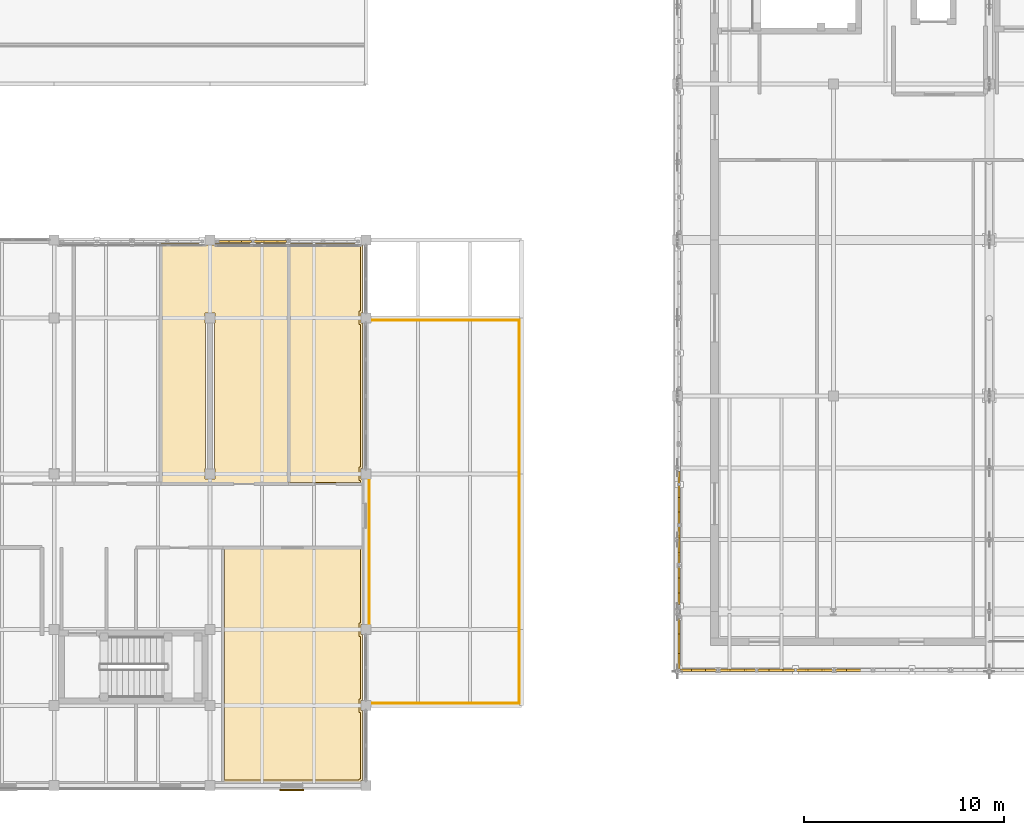
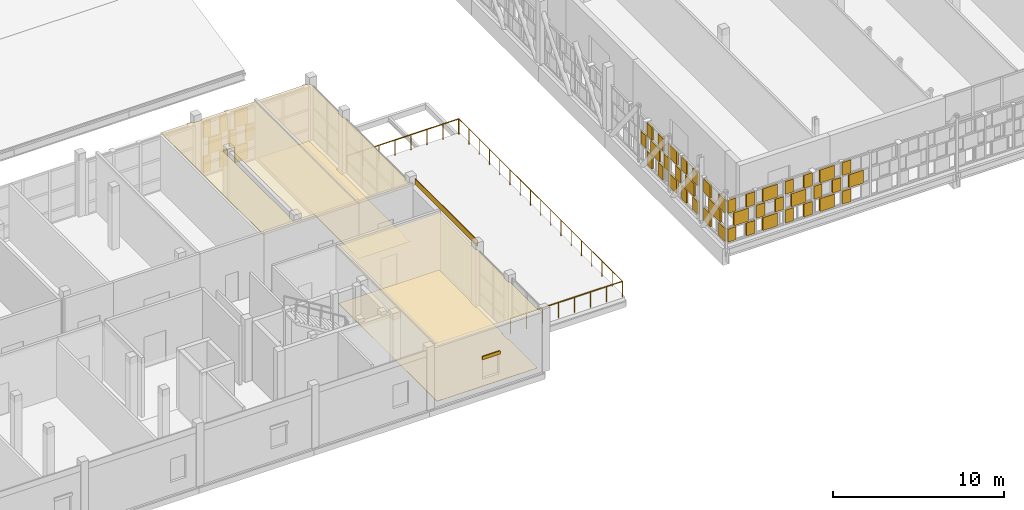
# One storey, part 76 of 89: 56 coverings, 3 railings, 1 shading device.
"""IFC4 building model written with IfcOpenShell, lengths in metres."""

from ifc_helpers import new_model, si_unit, direction, frame, origin, origin_2d, place, context, subcontext, project, spatial, polyline, rectangle, circle, outline, extrude, material, layer, layer_set, type_object, element, save


model = new_model("IFC4")

# Units and contexts
model_context = context("Model", 3, precision=1e-05, world=origin(), true_north=direction((0.0, 1.0)))
body_context = subcontext(model_context, "Body", "Model", "MODEL_VIEW")
ifc_project = project(units=[si_unit("LENGTHUNIT", "METRE"), si_unit("AREAUNIT", "SQUARE_METRE"), si_unit("VOLUMEUNIT", "CUBIC_METRE"), si_unit("PLANEANGLEUNIT", "RADIAN"), si_unit("MASSUNIT", "GRAM", prefix="KILO")], contexts=[model_context])

# Site, building, storey
site_placement = place(None, origin())
site = spatial("IfcSite", under=ifc_project, at=site_placement, CompositionType="ELEMENT")
building_placement = place(site_placement, origin())
building = spatial("IfcBuilding", under=site, at=building_placement, Name="Celorna Specialist Clinic", CompositionType="ELEMENT")
storey_placement = place(building_placement, frame((0.0, 0.0, 14.10009765625)))
storey = spatial("IfcBuildingStorey", under=building, at=storey_placement, Name="L03", CompositionType="ELEMENT", Elevation=14.10009765625)

# Railings
ifc_material_1 = material(Name="Stainless steel and laminated glass balustrade", Category="steel")
railing_type = type_object("IfcRailingType", Name="BL-01", PredefinedType="BALUSTRADE", material=ifc_material_1)
railing_1_placement = place(storey_placement, frame((39.1201171875, 23.280029296875, 0.0)))
element("IfcRailing", 1, at=railing_1_placement, inside=storey, type_object=railing_type, Name="Endoscopy Recovery Terrace perimeter balustrade 2", PredefinedType="BALUSTRADE", context=body_context, shape_type="SweptSolid", body=[
    extrude(circle(Radius=0.02392578125, at=origin_2d()), frame((0.0, 0.0, 1.09619140625), z_axis=(1.0, 0.0, 0.0), x_axis=(0.0, 1.0, 0.0)), (0.0, 0.0, 1.0), 7.559814453125),
    extrude(circle(Radius=0.02099609375, at=origin_2d()), origin(), (0.0, 0.0, 1.0), 1.072021484375),
    extrude(circle(Radius=0.02099609375, at=origin_2d()), frame((1.080078125, 0.0, 0.0)), (0.0, 0.0, 1.0), 1.072021484375),
    extrude(circle(Radius=0.02099609375, at=origin_2d()), frame((2.159912109375, 0.0, 0.0)), (0.0, 0.0, 1.0), 1.072021484375),
    extrude(circle(Radius=0.02099609375, at=origin_2d()), frame((3.239990234375, 0.0, 0.0)), (0.0, 0.0, 1.0), 1.072021484375),
    extrude(circle(Radius=0.02099609375, at=origin_2d()), frame((4.31982421875, 0.0, 0.0)), (0.0, 0.0, 1.0), 1.072021484375),
    extrude(circle(Radius=0.02099609375, at=origin_2d()), frame((5.39990234375, 0.0, 0.0)), (0.0, 0.0, 1.0), 1.072021484375),
    extrude(circle(Radius=0.02099609375, at=origin_2d()), frame((6.479736328125, 0.0, 0.0)), (0.0, 0.0, 1.0), 1.072021484375),
    extrude(circle(Radius=0.02099609375, at=origin_2d()), frame((7.559814453125, 0.0, 0.0)), (0.0, 0.0, 1.0), 1.072021484375),
])
railing_2_placement = place(storey_placement, frame((46.679931640625, 23.280029296875, 0.0)))
element("IfcRailing", 2, at=railing_2_placement, inside=storey, type_object=railing_type, Name="Endoscopy Recovery Terrace perimeter balustrade 3", PredefinedType="BALUSTRADE", context=body_context, shape_type="SweptSolid", body=[
    extrude(circle(Radius=0.02392578125, at=origin_2d()), frame((0.0, 0.0, 1.09619140625), z_axis=(0.0, -1.0, 0.0), x_axis=(1.0, 0.0, 0.0)), (0.0, 0.0, 1.0), 19.159912109375),
    extrude(circle(Radius=0.02099609375, at=origin_2d()), origin(), (0.0, 0.0, 1.0), 1.072021484375),
    extrude(circle(Radius=0.02099609375, at=origin_2d()), frame((0.0, -1.197509765625, 0.0)), (0.0, 0.0, 1.0), 1.072021484375),
    extrude(circle(Radius=0.02099609375, at=origin_2d()), frame((0.0, -2.39501953125, 0.0)), (0.0, 0.0, 1.0), 1.072021484375),
    extrude(circle(Radius=0.02099609375, at=origin_2d()), frame((0.0, -3.592529296875, 0.0)), (0.0, 0.0, 1.0), 1.072021484375),
    extrude(circle(Radius=0.02099609375, at=origin_2d()), frame((0.0, -4.7900390625, 0.0)), (0.0, 0.0, 1.0), 1.072021484375),
    extrude(circle(Radius=0.02099609375, at=origin_2d()), frame((0.0, -5.987548828125, 0.0)), (0.0, 0.0, 1.0), 1.072021484375),
    extrude(circle(Radius=0.02099609375, at=origin_2d()), frame((0.0, -7.18505859375, 0.0)), (0.0, 0.0, 1.0), 1.072021484375),
    extrude(circle(Radius=0.02099609375, at=origin_2d()), frame((0.0, -8.382568359375, 0.0)), (0.0, 0.0, 1.0), 1.072021484375),
    extrude(circle(Radius=0.02099609375, at=origin_2d()), frame((0.0, -9.580078125, 0.0)), (0.0, 0.0, 1.0), 1.072021484375),
    extrude(circle(Radius=0.02099609375, at=origin_2d()), frame((0.0, -10.77734375, 0.0)), (0.0, 0.0, 1.0), 1.072021484375),
    extrude(circle(Radius=0.02099609375, at=origin_2d()), frame((0.0, -11.974853515625, 0.0)), (0.0, 0.0, 1.0), 1.072021484375),
    extrude(circle(Radius=0.02099609375, at=origin_2d()), frame((0.0, -13.17236328125, 0.0)), (0.0, 0.0, 1.0), 1.072021484375),
    extrude(circle(Radius=0.02099609375, at=origin_2d()), frame((0.0, -14.369873046875, 0.0)), (0.0, 0.0, 1.0), 1.072021484375),
    extrude(circle(Radius=0.02099609375, at=origin_2d()), frame((0.0, -15.5673828125, 0.0)), (0.0, 0.0, 1.0), 1.072021484375),
    extrude(circle(Radius=0.02099609375, at=origin_2d()), frame((0.0, -16.764892578125, 0.0)), (0.0, 0.0, 1.0), 1.072021484375),
    extrude(circle(Radius=0.02099609375, at=origin_2d()), frame((0.0, -17.96240234375, 0.0)), (0.0, 0.0, 1.0), 1.072021484375),
    extrude(circle(Radius=0.02099609375, at=origin_2d()), frame((0.0, -19.159912109375, 0.0)), (0.0, 0.0, 1.0), 1.072021484375),
])
railing_3_placement = place(storey_placement, frame((46.679931640625, 4.1201171875, 0.0)))
element("IfcRailing", 3, at=railing_3_placement, inside=storey, type_object=railing_type, Name="Endoscopy Recovery Terrace perimeter balustrade 4", PredefinedType="BALUSTRADE", context=body_context, shape_type="SweptSolid", body=[
    extrude(circle(Radius=0.02392578125, at=origin_2d()), frame((0.0, 0.0, 1.09619140625), z_axis=(-1.0, 0.0, 0.0), x_axis=(0.0, -1.0, 0.0)), (0.0, 0.0, 1.0), 7.559814453125),
    extrude(circle(Radius=0.02099609375, at=origin_2d()), origin(), (0.0, 0.0, 1.0), 1.072021484375),
    extrude(circle(Radius=0.02099609375, at=origin_2d()), frame((-1.080078125, 0.0, 0.0)), (0.0, 0.0, 1.0), 1.072021484375),
    extrude(circle(Radius=0.02099609375, at=origin_2d()), frame((-2.159912109375, 0.0, 0.0)), (0.0, 0.0, 1.0), 1.072021484375),
    extrude(circle(Radius=0.02099609375, at=origin_2d()), frame((-3.239990234375, 0.0, 0.0)), (0.0, 0.0, 1.0), 1.072021484375),
    extrude(circle(Radius=0.02099609375, at=origin_2d()), frame((-4.31982421875, 0.0, 0.0)), (0.0, 0.0, 1.0), 1.072021484375),
    extrude(circle(Radius=0.02099609375, at=origin_2d()), frame((-5.39990234375, 0.0, 0.0)), (0.0, 0.0, 1.0), 1.072021484375),
    extrude(circle(Radius=0.02099609375, at=origin_2d()), frame((-6.479736328125, 0.0, 0.0)), (0.0, 0.0, 1.0), 1.072021484375),
    extrude(circle(Radius=0.02099609375, at=origin_2d()), frame((-7.559814453125, 0.0, 0.0)), (0.0, 0.0, 1.0), 1.072021484375),
])

# Coverings
ifc_material_2 = material(Name="Hygienic acoustic mineral-fibre ceiling")
ifc_layer_1 = layer(ifc_material_2, 0.030029296875, Name="Hygienic acoustic mineral-fibre ceiling")
ifc_layer_set_1 = layer_set([ifc_layer_1], Name="Hygienic acoustic mineral-fibre ceiling")
covering_type_1 = type_object("IfcCoveringType", Name="CE-01", PredefinedType="CEILING", material=ifc_layer_set_1)
covering_1_placement = place(storey_placement, frame((0.0, 0.0, 4.02978515625)))
element("IfcCovering", 4, at=covering_1_placement, inside=storey, type_object=covering_type_1, Name="Acoustic ceiling L03-045", PredefinedType="CEILING", context=body_context, shape_type="SweptSolid", body=[
    extrude(outline(polyline([(38.824951171875, 11.9150390625), (38.824951171875, 8.054931640625), (38.7451171875, 8.054931640625), (38.7451171875, 7.544921875), (38.824951171875, 7.544921875), (38.824951171875, 4.2548828125), (38.7451171875, 4.2548828125), (38.7451171875, 3.7451171875), (38.824951171875, 3.7451171875), (38.824951171875, 0.2548828125), (38.7451171875, 0.2548828125), (38.7451171875, 0.175048828125), (31.824951171875, 0.175048828125), (31.824951171875, 11.9150390625), (38.824951171875, 11.9150390625)])), origin(), (0.0, 0.0, 1.0), 0.030029296875),
])
covering_2_placement = place(storey_placement, frame((0.0, 0.0, 4.02978515625)))
element("IfcCovering", 5, at=covering_2_placement, inside=storey, type_object=covering_type_1, Name="Acoustic ceiling L03-050", PredefinedType="CEILING", context=body_context, shape_type="SweptSolid", body=[
    extrude(outline(polyline([(30.945068359375, 27.125), (30.945068359375, 27.044921875), (31.455078125, 27.044921875), (31.455078125, 27.125), (35.155029296875, 27.125), (35.155029296875, 15.0849609375), (28.72509765625, 15.0849609375), (28.72509765625, 27.125), (30.945068359375, 27.125)]), holes=[polyline([(31.43505859375, 23.14501953125), (31.455078125, 23.14501953125), (31.455078125, 23.655029296875), (30.945068359375, 23.655029296875), (30.945068359375, 23.14501953125), (30.965087890625, 23.14501953125), (30.965087890625, 15.85498046875), (30.945068359375, 15.85498046875), (30.945068359375, 15.344970703125), (31.455078125, 15.344970703125), (31.455078125, 15.85498046875), (31.43505859375, 15.85498046875), (31.43505859375, 23.14501953125)])]), origin(), (0.0, 0.0, 1.0), 0.030029296875),
])
covering_3_placement = place(storey_placement, frame((0.0, 0.0, 4.02978515625)))
element("IfcCovering", 6, at=covering_3_placement, inside=storey, type_object=covering_type_1, Name="Acoustic ceiling L03-051", PredefinedType="CEILING", context=body_context, shape_type="SweptSolid", body=[
    extrude(outline(polyline([(38.7451171875, 27.125), (38.7451171875, 27.044921875), (38.824951171875, 27.044921875), (38.824951171875, 23.655029296875), (38.7451171875, 23.655029296875), (38.7451171875, 23.14501953125), (38.824951171875, 23.14501953125), (38.824951171875, 15.85498046875), (38.7451171875, 15.85498046875), (38.7451171875, 15.344970703125), (38.824951171875, 15.344970703125), (38.824951171875, 15.0849609375), (35.125, 15.0849609375), (35.125, 27.125), (38.7451171875, 27.125)])), origin(), (0.0, 0.0, 1.0), 0.030029296875),
])
ifc_material_3 = material(Name="Pero Pinheiro Lioz limestone rainscreen cladding", Category="masonry")
ifc_layer_2 = layer(ifc_material_3, 0.044921875, Name="Pero Pinheiro Lioz limestone rainscreen cladding")
ifc_layer_set_2 = layer_set([ifc_layer_2], Name="Pero Pinheiro Lioz limestone rainscreen cladding")
covering_type_2 = type_object("IfcCoveringType", Name="CL-01", PredefinedType="CLADDING", material=ifc_layer_set_2)
covering_4_placement = place(storey_placement, frame((39.16748046875, 11.699951171875, 3.83984375), z_axis=(0.0, 0.0, 1.0), x_axis=(0.0, -1.0, 0.0)))
element("IfcCovering", 7, at=covering_4_placement, inside=storey, type_object=covering_type_2, Name="Lioz spandrel cladding #359", PredefinedType="CLADDING", context=body_context, shape_type="SweptSolid", body=[
    extrude(rectangle(XDim=7.300048828125, YDim=0.044921875, at=origin_2d()), origin(), (0.0, 0.0, 1.0), 0.419921875),
])
ifc_material_4 = material(Name="Perforated terracotta brick weave cladding", Category="masonry")
ifc_layer_3 = layer(ifc_material_4, 0.114990234375, Name="Perforated terracotta brick weave cladding")
ifc_layer_set_3 = layer_set([ifc_layer_3], Name="Perforated terracotta brick weave cladding")
covering_type_3 = type_object("IfcCoveringType", Name="CL-02", PredefinedType="CLADDING", material=ifc_layer_set_3)
for number, where, z_axis, x_axis, name in (
    (8, (55.017578125, 5.77001953125, 0.099853515625), (0.0, 0.0, 1.0), (1.0, 0.0, 0.0), "Woven perforated terracotta brick course #73"),
    (9, (56.282470703125, 5.77001953125, 0.099853515625), (0.0, 0.0, 1.0), (1.0, 0.0, 0.0), "Woven perforated terracotta brick course #74"),
):
    element("IfcCovering", number, at=place(storey_placement, frame(where, z_axis=z_axis, x_axis=x_axis)), inside=storey, type_object=covering_type_3, Name=name, PredefinedType="CLADDING", context=body_context, shape_type="SweptSolid", body=[
        extrude(rectangle(XDim=0.55517578125, YDim=0.114990234375, at=origin_2d()), origin(), (0.0, 0.0, 1.0), 0.9267578125),
    ])
covering_5_placement = place(storey_placement, frame((55.64990234375, 5.77001953125, 1.12646484375), z_axis=(0.0, 0.0, 1.0), x_axis=(1.0, 0.0, 0.0)))
element("IfcCovering", 10, at=covering_5_placement, inside=storey, type_object=covering_type_3, Name="Woven perforated terracotta brick course #75", PredefinedType="CLADDING", context=body_context, shape_type="SweptSolid", body=[
    extrude(rectangle(XDim=0.98291015625, YDim=0.114990234375, at=origin_2d()), origin(), (0.0, 0.0, 1.0), 0.926513671875),
])
for number, where, z_axis, x_axis, name in (
    (11, (55.017578125, 5.77001953125, 2.1533203125), (0.0, 0.0, 1.0), (1.0, 0.0, 0.0), "Woven perforated terracotta brick course #76"),
    (12, (56.282470703125, 5.77001953125, 2.1533203125), (0.0, 0.0, 1.0), (1.0, 0.0, 0.0), "Woven perforated terracotta brick course #77"),
):
    element("IfcCovering", number, at=place(storey_placement, frame(where, z_axis=z_axis, x_axis=x_axis)), inside=storey, type_object=covering_type_3, Name=name, PredefinedType="CLADDING", context=body_context, shape_type="SweptSolid", body=[
        extrude(rectangle(XDim=0.55517578125, YDim=0.114990234375, at=origin_2d()), origin(), (0.0, 0.0, 1.0), 0.9267578125),
    ])
covering_6_placement = place(storey_placement, frame((57.590087890625, 5.77001953125, 0.099853515625), z_axis=(0.0, 0.0, 1.0), x_axis=(1.0, 0.0, 0.0)))
element("IfcCovering", 13, at=covering_6_placement, inside=storey, type_object=covering_type_3, Name="Woven perforated terracotta brick course #78", PredefinedType="CLADDING", context=body_context, shape_type="SweptSolid", body=[
    extrude(rectangle(XDim=0.98291015625, YDim=0.114990234375, at=origin_2d()), origin(), (0.0, 0.0, 1.0), 0.9267578125),
])
for number, where, z_axis, x_axis, name in (
    (14, (56.95751953125, 5.77001953125, 1.12646484375), (0.0, 0.0, 1.0), (1.0, 0.0, 0.0), "Woven perforated terracotta brick course #79"),
    (15, (58.222412109375, 5.77001953125, 1.12646484375), (0.0, 0.0, 1.0), (1.0, 0.0, 0.0), "Woven perforated terracotta brick course #80"),
):
    element("IfcCovering", number, at=place(storey_placement, frame(where, z_axis=z_axis, x_axis=x_axis)), inside=storey, type_object=covering_type_3, Name=name, PredefinedType="CLADDING", context=body_context, shape_type="SweptSolid", body=[
        extrude(rectangle(XDim=0.55517578125, YDim=0.114990234375, at=origin_2d()), origin(), (0.0, 0.0, 1.0), 0.926513671875),
    ])
covering_7_placement = place(storey_placement, frame((57.590087890625, 5.77001953125, 2.1533203125), z_axis=(0.0, 0.0, 1.0), x_axis=(1.0, 0.0, 0.0)))
element("IfcCovering", 16, at=covering_7_placement, inside=storey, type_object=covering_type_3, Name="Woven perforated terracotta brick course #81", PredefinedType="CLADDING", context=body_context, shape_type="SweptSolid", body=[
    extrude(rectangle(XDim=0.98291015625, YDim=0.114990234375, at=origin_2d()), origin(), (0.0, 0.0, 1.0), 0.9267578125),
])
for number, where, z_axis, x_axis, name in (
    (17, (58.897705078125, 5.77001953125, 0.099853515625), (0.0, 0.0, 1.0), (1.0, 0.0, 0.0), "Woven perforated terracotta brick course #82"),
    (18, (60.162353515625, 5.77001953125, 0.099853515625), (0.0, 0.0, 1.0), (1.0, 0.0, 0.0), "Woven perforated terracotta brick course #83"),
):
    element("IfcCovering", number, at=place(storey_placement, frame(where, z_axis=z_axis, x_axis=x_axis)), inside=storey, type_object=covering_type_3, Name=name, PredefinedType="CLADDING", context=body_context, shape_type="SweptSolid", body=[
        extrude(rectangle(XDim=0.55517578125, YDim=0.114990234375, at=origin_2d()), origin(), (0.0, 0.0, 1.0), 0.9267578125),
    ])
covering_8_placement = place(storey_placement, frame((59.530029296875, 5.77001953125, 1.12646484375), z_axis=(0.0, 0.0, 1.0), x_axis=(1.0, 0.0, 0.0)))
element("IfcCovering", 19, at=covering_8_placement, inside=storey, type_object=covering_type_3, Name="Woven perforated terracotta brick course #84", PredefinedType="CLADDING", context=body_context, shape_type="SweptSolid", body=[
    extrude(rectangle(XDim=0.98291015625, YDim=0.114990234375, at=origin_2d()), origin(), (0.0, 0.0, 1.0), 0.926513671875),
])
for number, where, z_axis, x_axis, name in (
    (20, (58.897705078125, 5.77001953125, 2.1533203125), (0.0, 0.0, 1.0), (1.0, 0.0, 0.0), "Woven perforated terracotta brick course #85"),
    (21, (60.162353515625, 5.77001953125, 2.1533203125), (0.0, 0.0, 1.0), (1.0, 0.0, 0.0), "Woven perforated terracotta brick course #86"),
):
    element("IfcCovering", number, at=place(storey_placement, frame(where, z_axis=z_axis, x_axis=x_axis)), inside=storey, type_object=covering_type_3, Name=name, PredefinedType="CLADDING", context=body_context, shape_type="SweptSolid", body=[
        extrude(rectangle(XDim=0.55517578125, YDim=0.114990234375, at=origin_2d()), origin(), (0.0, 0.0, 1.0), 0.9267578125),
    ])
covering_9_placement = place(storey_placement, frame((61.469970703125, 5.77001953125, 0.099853515625), z_axis=(0.0, 0.0, 1.0), x_axis=(1.0, 0.0, 0.0)))
element("IfcCovering", 22, at=covering_9_placement, inside=storey, type_object=covering_type_3, Name="Woven perforated terracotta brick course #87", PredefinedType="CLADDING", context=body_context, shape_type="SweptSolid", body=[
    extrude(rectangle(XDim=0.98291015625, YDim=0.114990234375, at=origin_2d()), origin(), (0.0, 0.0, 1.0), 0.9267578125),
])
for number, where, z_axis, x_axis, name in (
    (23, (60.837646484375, 5.77001953125, 1.12646484375), (0.0, 0.0, 1.0), (1.0, 0.0, 0.0), "Woven perforated terracotta brick course #88"),
    (24, (62.102294921875, 5.77001953125, 1.12646484375), (0.0, 0.0, 1.0), (1.0, 0.0, 0.0), "Woven perforated terracotta brick course #89"),
):
    element("IfcCovering", number, at=place(storey_placement, frame(where, z_axis=z_axis, x_axis=x_axis)), inside=storey, type_object=covering_type_3, Name=name, PredefinedType="CLADDING", context=body_context, shape_type="SweptSolid", body=[
        extrude(rectangle(XDim=0.55517578125, YDim=0.114990234375, at=origin_2d()), origin(), (0.0, 0.0, 1.0), 0.926513671875),
    ])
covering_10_placement = place(storey_placement, frame((61.469970703125, 5.77001953125, 2.1533203125), z_axis=(0.0, 0.0, 1.0), x_axis=(1.0, 0.0, 0.0)))
element("IfcCovering", 25, at=covering_10_placement, inside=storey, type_object=covering_type_3, Name="Woven perforated terracotta brick course #90", PredefinedType="CLADDING", context=body_context, shape_type="SweptSolid", body=[
    extrude(rectangle(XDim=0.98291015625, YDim=0.114990234375, at=origin_2d()), origin(), (0.0, 0.0, 1.0), 0.9267578125),
])
covering_11_placement = place(storey_placement, frame((62.777587890625, 5.77001953125, 0.099853515625), z_axis=(0.0, 0.0, 1.0), x_axis=(1.0, 0.0, 0.0)))
element("IfcCovering", 26, at=covering_11_placement, inside=storey, type_object=covering_type_3, Name="Woven perforated terracotta brick course #91", PredefinedType="CLADDING", context=body_context, shape_type="SweptSolid", body=[
    extrude(rectangle(XDim=0.55517578125, YDim=0.114990234375, at=origin_2d()), origin(), (0.0, 0.0, 1.0), 0.9267578125),
])
covering_12_placement = place(storey_placement, frame((63.409912109375, 5.77001953125, 1.12646484375), z_axis=(0.0, 0.0, 1.0), x_axis=(1.0, 0.0, 0.0)))
element("IfcCovering", 27, at=covering_12_placement, inside=storey, type_object=covering_type_3, Name="Woven perforated terracotta brick course #93", PredefinedType="CLADDING", context=body_context, shape_type="SweptSolid", body=[
    extrude(rectangle(XDim=0.98291015625, YDim=0.114990234375, at=origin_2d()), origin(), (0.0, 0.0, 1.0), 0.926513671875),
])
covering_13_placement = place(storey_placement, frame((62.777587890625, 5.77001953125, 2.1533203125), z_axis=(0.0, 0.0, 1.0), x_axis=(1.0, 0.0, 0.0)))
element("IfcCovering", 28, at=covering_13_placement, inside=storey, type_object=covering_type_3, Name="Woven perforated terracotta brick course #94", PredefinedType="CLADDING", context=body_context, shape_type="SweptSolid", body=[
    extrude(rectangle(XDim=0.55517578125, YDim=0.114990234375, at=origin_2d()), origin(), (0.0, 0.0, 1.0), 0.9267578125),
])
for number, where, z_axis, x_axis, name in (
    (29, (54.669921875, 6.222900390625, 0.099853515625), (0.0, 0.0, 1.0), (0.0, 1.0, 0.0), "Woven perforated terracotta brick course #227"),
    (30, (54.669921875, 7.96728515625, 0.099853515625), (0.0, 0.0, 1.0), (0.0, 1.0, 0.0), "Woven perforated terracotta brick course #228"),
):
    element("IfcCovering", number, at=place(storey_placement, frame(where, z_axis=z_axis, x_axis=x_axis)), inside=storey, type_object=covering_type_3, Name=name, PredefinedType="CLADDING", context=body_context, shape_type="SweptSolid", body=[
        extrude(rectangle(XDim=0.765380859375, YDim=0.114990234375, at=origin_2d()), origin(), (0.0, 0.0, 1.0), 0.9267578125),
    ])
covering_14_placement = place(storey_placement, frame((54.669921875, 7.094970703125, 1.12646484375), z_axis=(0.0, 0.0, 1.0), x_axis=(0.0, 1.0, 0.0)))
element("IfcCovering", 31, at=covering_14_placement, inside=storey, type_object=covering_type_3, Name="Woven perforated terracotta brick course #229", PredefinedType="CLADDING", context=body_context, shape_type="SweptSolid", body=[
    extrude(rectangle(XDim=1.35546875, YDim=0.114990234375, at=origin_2d()), origin(), (0.0, 0.0, 1.0), 0.926513671875),
])
for number, where, z_axis, x_axis, name in (
    (32, (54.669921875, 6.222900390625, 2.1533203125), (0.0, 0.0, 1.0), (0.0, 1.0, 0.0), "Woven perforated terracotta brick course #230"),
    (33, (54.669921875, 7.96728515625, 2.1533203125), (0.0, 0.0, 1.0), (0.0, 1.0, 0.0), "Woven perforated terracotta brick course #231"),
):
    element("IfcCovering", number, at=place(storey_placement, frame(where, z_axis=z_axis, x_axis=x_axis)), inside=storey, type_object=covering_type_3, Name=name, PredefinedType="CLADDING", context=body_context, shape_type="SweptSolid", body=[
        extrude(rectangle(XDim=0.765380859375, YDim=0.114990234375, at=origin_2d()), origin(), (0.0, 0.0, 1.0), 0.9267578125),
    ])
for number, where, z_axis, x_axis, name in (
    (34, (54.669921875, 9.34033203125, 0.099853515625), (0.0, 0.0, 1.0), (0.0, 1.0, 0.0), "Woven perforated terracotta brick course #232"),
    (35, (54.669921875, 10.663818359375, 0.099853515625), (0.0, 0.0, 1.0), (0.0, 1.0, 0.0), "Woven perforated terracotta brick course #233"),
):
    element("IfcCovering", number, at=place(storey_placement, frame(where, z_axis=z_axis, x_axis=x_axis)), inside=storey, type_object=covering_type_3, Name=name, PredefinedType="CLADDING", context=body_context, shape_type="SweptSolid", body=[
        extrude(rectangle(XDim=0.580810546875, YDim=0.114990234375, at=origin_2d()), origin(), (0.0, 0.0, 1.0), 0.9267578125),
    ])
covering_15_placement = place(storey_placement, frame((54.669921875, 10.001953125, 1.12646484375), z_axis=(0.0, 0.0, 1.0), x_axis=(0.0, 1.0, 0.0)))
element("IfcCovering", 36, at=covering_15_placement, inside=storey, type_object=covering_type_3, Name="Woven perforated terracotta brick course #234", PredefinedType="CLADDING", context=body_context, shape_type="SweptSolid", body=[
    extrude(rectangle(XDim=1.0283203125, YDim=0.114990234375, at=origin_2d()), origin(), (0.0, 0.0, 1.0), 0.926513671875),
])
for number, where, z_axis, x_axis, name in (
    (37, (54.669921875, 9.34033203125, 2.1533203125), (0.0, 0.0, 1.0), (0.0, 1.0, 0.0), "Woven perforated terracotta brick course #235"),
    (38, (54.669921875, 10.663818359375, 2.1533203125), (0.0, 0.0, 1.0), (0.0, 1.0, 0.0), "Woven perforated terracotta brick course #236"),
):
    element("IfcCovering", number, at=place(storey_placement, frame(where, z_axis=z_axis, x_axis=x_axis)), inside=storey, type_object=covering_type_3, Name=name, PredefinedType="CLADDING", context=body_context, shape_type="SweptSolid", body=[
        extrude(rectangle(XDim=0.580810546875, YDim=0.114990234375, at=origin_2d()), origin(), (0.0, 0.0, 1.0), 0.9267578125),
    ])
covering_16_placement = place(storey_placement, frame((54.669921875, 12.02587890625, 0.099853515625), z_axis=(0.0, 0.0, 1.0), x_axis=(0.0, 1.0, 0.0)))
element("IfcCovering", 39, at=covering_16_placement, inside=storey, type_object=covering_type_3, Name="Woven perforated terracotta brick course #237", PredefinedType="CLADDING", context=body_context, shape_type="SweptSolid", body=[
    extrude(rectangle(XDim=1.0283203125, YDim=0.114990234375, at=origin_2d()), origin(), (0.0, 0.0, 1.0), 0.9267578125),
])
for number, where, z_axis, x_axis, name in (
    (40, (54.669921875, 11.3642578125, 1.12646484375), (0.0, 0.0, 1.0), (0.0, 1.0, 0.0), "Woven perforated terracotta brick course #238"),
    (41, (54.669921875, 12.6875, 1.12646484375), (0.0, 0.0, 1.0), (0.0, 1.0, 0.0), "Woven perforated terracotta brick course #239"),
):
    element("IfcCovering", number, at=place(storey_placement, frame(where, z_axis=z_axis, x_axis=x_axis)), inside=storey, type_object=covering_type_3, Name=name, PredefinedType="CLADDING", context=body_context, shape_type="SweptSolid", body=[
        extrude(rectangle(XDim=0.580810546875, YDim=0.114990234375, at=origin_2d()), origin(), (0.0, 0.0, 1.0), 0.926513671875),
    ])
covering_17_placement = place(storey_placement, frame((54.669921875, 12.02587890625, 2.1533203125), z_axis=(0.0, 0.0, 1.0), x_axis=(0.0, 1.0, 0.0)))
element("IfcCovering", 42, at=covering_17_placement, inside=storey, type_object=covering_type_3, Name="Woven perforated terracotta brick course #240", PredefinedType="CLADDING", context=body_context, shape_type="SweptSolid", body=[
    extrude(rectangle(XDim=1.0283203125, YDim=0.114990234375, at=origin_2d()), origin(), (0.0, 0.0, 1.0), 0.9267578125),
])
for number, where, z_axis, x_axis, name in (
    (43, (54.669921875, 13.38818359375, 0.099853515625), (0.0, 0.0, 1.0), (0.0, 1.0, 0.0), "Woven perforated terracotta brick course #241"),
    (44, (54.669921875, 14.711669921875, 0.099853515625), (0.0, 0.0, 1.0), (0.0, 1.0, 0.0), "Woven perforated terracotta brick course #242"),
):
    element("IfcCovering", number, at=place(storey_placement, frame(where, z_axis=z_axis, x_axis=x_axis)), inside=storey, type_object=covering_type_3, Name=name, PredefinedType="CLADDING", context=body_context, shape_type="SweptSolid", body=[
        extrude(rectangle(XDim=0.580810546875, YDim=0.114990234375, at=origin_2d()), origin(), (0.0, 0.0, 1.0), 0.9267578125),
    ])
covering_18_placement = place(storey_placement, frame((54.669921875, 14.050048828125, 1.12646484375), z_axis=(0.0, 0.0, 1.0), x_axis=(0.0, 1.0, 0.0)))
element("IfcCovering", 45, at=covering_18_placement, inside=storey, type_object=covering_type_3, Name="Woven perforated terracotta brick course #243", PredefinedType="CLADDING", context=body_context, shape_type="SweptSolid", body=[
    extrude(rectangle(XDim=1.0283203125, YDim=0.114990234375, at=origin_2d()), origin(), (0.0, 0.0, 1.0), 0.926513671875),
])
for number, where, z_axis, x_axis, name in (
    (46, (54.669921875, 13.38818359375, 2.1533203125), (0.0, 0.0, 1.0), (0.0, 1.0, 0.0), "Woven perforated terracotta brick course #244"),
    (47, (54.669921875, 14.711669921875, 2.1533203125), (0.0, 0.0, 1.0), (0.0, 1.0, 0.0), "Woven perforated terracotta brick course #245"),
):
    element("IfcCovering", number, at=place(storey_placement, frame(where, z_axis=z_axis, x_axis=x_axis)), inside=storey, type_object=covering_type_3, Name=name, PredefinedType="CLADDING", context=body_context, shape_type="SweptSolid", body=[
        extrude(rectangle(XDim=0.580810546875, YDim=0.114990234375, at=origin_2d()), origin(), (0.0, 0.0, 1.0), 0.9267578125),
    ])
covering_19_placement = place(storey_placement, frame((54.669921875, 15.412353515625, 1.12646484375), z_axis=(0.0, 0.0, 1.0), x_axis=(0.0, 1.0, 0.0)))
element("IfcCovering", 48, at=covering_19_placement, inside=storey, type_object=covering_type_3, Name="Woven perforated terracotta brick course #247", PredefinedType="CLADDING", context=body_context, shape_type="SweptSolid", body=[
    extrude(rectangle(XDim=0.580810546875, YDim=0.114990234375, at=origin_2d()), origin(), (0.0, 0.0, 1.0), 0.926513671875),
])
for number, where, z_axis, x_axis, name in (
    (49, (31.8994140625, 27.22998046875, 0.10009765625), (0.0, 0.0, 1.0), (1.0, 0.0, 0.0), "Woven perforated terracotta brick course #1572"),
    (50, (33.03564453125, 27.22998046875, 0.10009765625), (0.0, 0.0, 1.0), (1.0, 0.0, 0.0), "Woven perforated terracotta brick course #1573"),
):
    element("IfcCovering", number, at=place(storey_placement, frame(where, z_axis=z_axis, x_axis=x_axis)), inside=storey, type_object=covering_type_3, Name=name, PredefinedType="CLADDING", context=body_context, shape_type="SweptSolid", body=[
        extrude(rectangle(XDim=0.498779296875, YDim=0.114990234375, at=origin_2d()), origin(), (0.0, 0.0, 1.0), 1.146728515625),
    ])
covering_20_placement = place(storey_placement, frame((32.467529296875, 27.22998046875, 1.3466796875), z_axis=(0.0, 0.0, 1.0), x_axis=(1.0, 0.0, 0.0)))
element("IfcCovering", 51, at=covering_20_placement, inside=storey, type_object=covering_type_3, Name="Woven perforated terracotta brick course #1574", PredefinedType="CLADDING", context=body_context, shape_type="SweptSolid", body=[
    extrude(rectangle(XDim=0.8828125, YDim=0.114990234375, at=origin_2d()), origin(), (0.0, 0.0, 1.0), 1.146484375),
])
for number, where, z_axis, x_axis, name in (
    (52, (31.8994140625, 27.22998046875, 2.59326171875), (0.0, 0.0, 1.0), (1.0, 0.0, 0.0), "Woven perforated terracotta brick course #1575"),
    (53, (33.03564453125, 27.22998046875, 2.59326171875), (0.0, 0.0, 1.0), (1.0, 0.0, 0.0), "Woven perforated terracotta brick course #1576"),
):
    element("IfcCovering", number, at=place(storey_placement, frame(where, z_axis=z_axis, x_axis=x_axis)), inside=storey, type_object=covering_type_3, Name=name, PredefinedType="CLADDING", context=body_context, shape_type="SweptSolid", body=[
        extrude(rectangle(XDim=0.498779296875, YDim=0.114990234375, at=origin_2d()), origin(), (0.0, 0.0, 1.0), 1.146728515625),
    ])
covering_21_placement = place(storey_placement, frame((34.222412109375, 27.22998046875, 0.10009765625), z_axis=(0.0, 0.0, 1.0), x_axis=(1.0, 0.0, 0.0)))
element("IfcCovering", 54, at=covering_21_placement, inside=storey, type_object=covering_type_3, Name="Woven perforated terracotta brick course #1577", PredefinedType="CLADDING", context=body_context, shape_type="SweptSolid", body=[
    extrude(rectangle(XDim=0.8828125, YDim=0.114990234375, at=origin_2d()), origin(), (0.0, 0.0, 1.0), 1.146728515625),
])
for number, where, z_axis, x_axis, name in (
    (55, (33.654296875, 27.22998046875, 1.3466796875), (0.0, 0.0, 1.0), (1.0, 0.0, 0.0), "Woven perforated terracotta brick course #1578"),
    (56, (34.79052734375, 27.22998046875, 1.3466796875), (0.0, 0.0, 1.0), (1.0, 0.0, 0.0), "Woven perforated terracotta brick course #1579"),
):
    element("IfcCovering", number, at=place(storey_placement, frame(where, z_axis=z_axis, x_axis=x_axis)), inside=storey, type_object=covering_type_3, Name=name, PredefinedType="CLADDING", context=body_context, shape_type="SweptSolid", body=[
        extrude(rectangle(XDim=0.498779296875, YDim=0.114990234375, at=origin_2d()), origin(), (0.0, 0.0, 1.0), 1.146484375),
    ])
covering_22_placement = place(storey_placement, frame((34.222412109375, 27.22998046875, 2.59326171875), z_axis=(0.0, 0.0, 1.0), x_axis=(1.0, 0.0, 0.0)))
element("IfcCovering", 57, at=covering_22_placement, inside=storey, type_object=covering_type_3, Name="Woven perforated terracotta brick course #1580", PredefinedType="CLADDING", context=body_context, shape_type="SweptSolid", body=[
    extrude(rectangle(XDim=0.8828125, YDim=0.114990234375, at=origin_2d()), origin(), (0.0, 0.0, 1.0), 1.146728515625),
])
ifc_material_5 = material(Name="Seamless antimicrobial clinical vinyl and Lioz terrazzo flooring")
ifc_layer_4 = layer(ifc_material_5, 0.02001953125, Name="Seamless antimicrobial clinical vinyl and Lioz terrazzo flooring")
ifc_layer_set_4 = layer_set([ifc_layer_4], Name="Seamless antimicrobial clinical vinyl and Lioz terrazzo flooring")
covering_type_4 = type_object("IfcCoveringType", Name="FL-01", PredefinedType="FLOORING", material=ifc_layer_set_4)
covering_23_placement = place(storey_placement, origin())
element("IfcCovering", 58, at=covering_23_placement, inside=storey, type_object=covering_type_4, Name="Antimicrobial clinical flooring L03-045", PredefinedType="FLOORING", context=body_context, shape_type="SweptSolid", body=[
    extrude(outline(polyline([(31.9150390625, 11.824951171875), (38.735107421875, 11.824951171875), (38.735107421875, 8.135009765625), (38.6650390625, 8.135009765625), (38.6650390625, 7.465087890625), (38.735107421875, 7.465087890625), (38.735107421875, 4.3349609375), (38.6650390625, 4.3349609375), (38.6650390625, 3.6650390625), (38.735107421875, 3.6650390625), (38.735107421875, 0.3349609375), (38.6650390625, 0.3349609375), (38.6650390625, 0.264892578125), (31.9150390625, 0.264892578125), (31.9150390625, 11.824951171875)])), origin(), (0.0, 0.0, 1.0), 0.02001953125),
])
covering_24_placement = place(storey_placement, origin())
element("IfcCovering", 59, at=covering_24_placement, inside=storey, type_object=covering_type_4, Name="Antimicrobial clinical flooring L03-051", PredefinedType="FLOORING", context=body_context, shape_type="SweptSolid", body=[
    extrude(outline(polyline([(35.215087890625, 27.034912109375), (38.6650390625, 27.034912109375), (38.6650390625, 26.965087890625), (38.735107421875, 26.965087890625), (38.735107421875, 23.735107421875), (38.6650390625, 23.735107421875), (38.6650390625, 23.06494140625), (38.735107421875, 23.06494140625), (38.735107421875, 15.93505859375), (38.6650390625, 15.93505859375), (38.6650390625, 15.264892578125), (38.735107421875, 15.264892578125), (38.735107421875, 15.175048828125), (35.215087890625, 15.175048828125), (35.215087890625, 27.034912109375)])), origin(), (0.0, 0.0, 1.0), 0.02001953125),
])

# Shading device
ifc_material_6 = material(Name="Anodized aluminium solar louvre", Category="aluminium")
ifc_layer_5 = layer(ifc_material_6, 0.080078125, Name="Anodized aluminium solar louvre")
ifc_layer_set_5 = layer_set([ifc_layer_5], Name="Anodized aluminium solar louvre")
shading_device_type = type_object("IfcShadingDeviceType", Name="LV-01", PredefinedType="JALOUSIE", material=ifc_layer_set_5)
shading_device_placement = place(storey_placement, frame((35.284912109375, -0.22998046875, 2.33984375), z_axis=(0.0, 0.0, 1.0), x_axis=(-1.0, 0.0, 0.0)))
element("IfcShadingDevice", 60, at=shading_device_placement, inside=storey, type_object=shading_device_type, Name="External solar louvre LV-01 #218", PredefinedType="JALOUSIE", context=body_context, shape_type="SweptSolid", body=[
    extrude(rectangle(XDim=1.199951171875, YDim=0.080078125, at=origin_2d()), origin(), (0.0, 0.0, 1.0), 0.219970703125),
])

save(model, "model.ifc")
